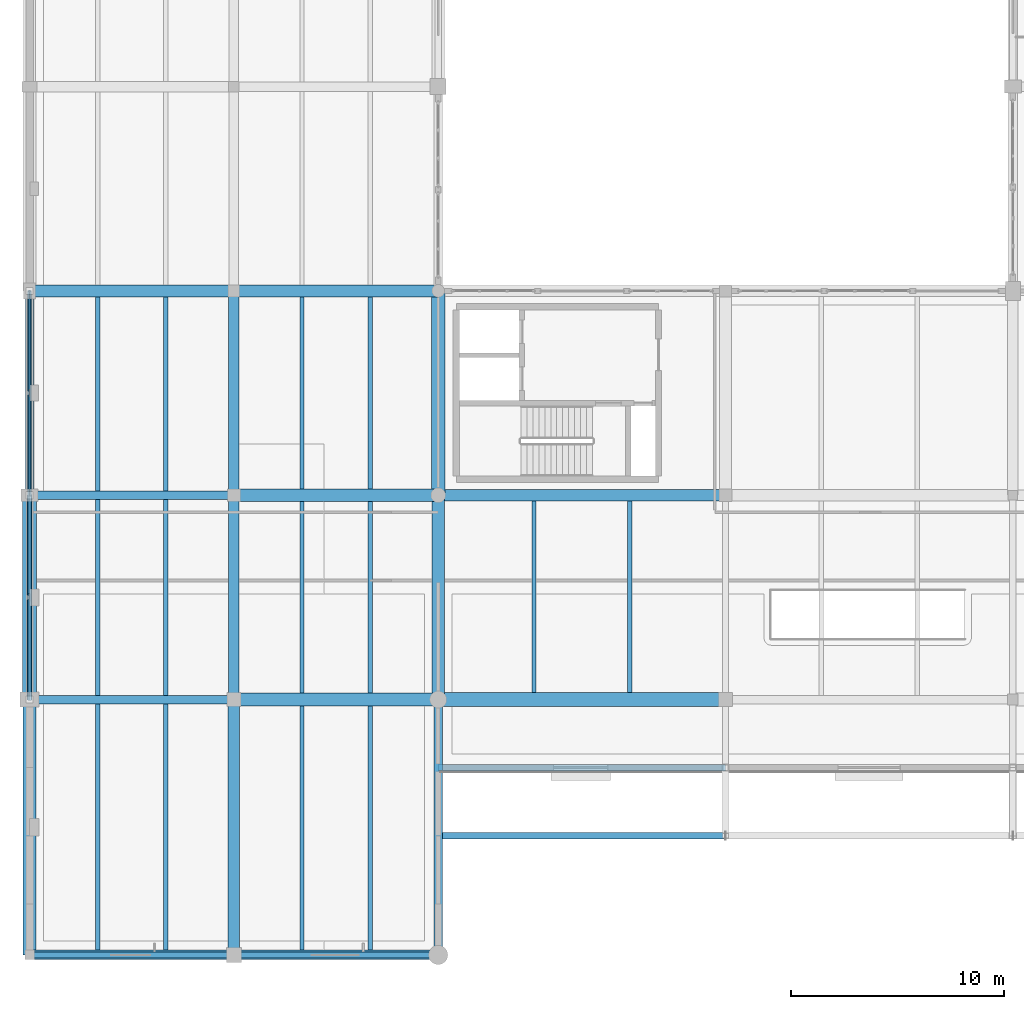
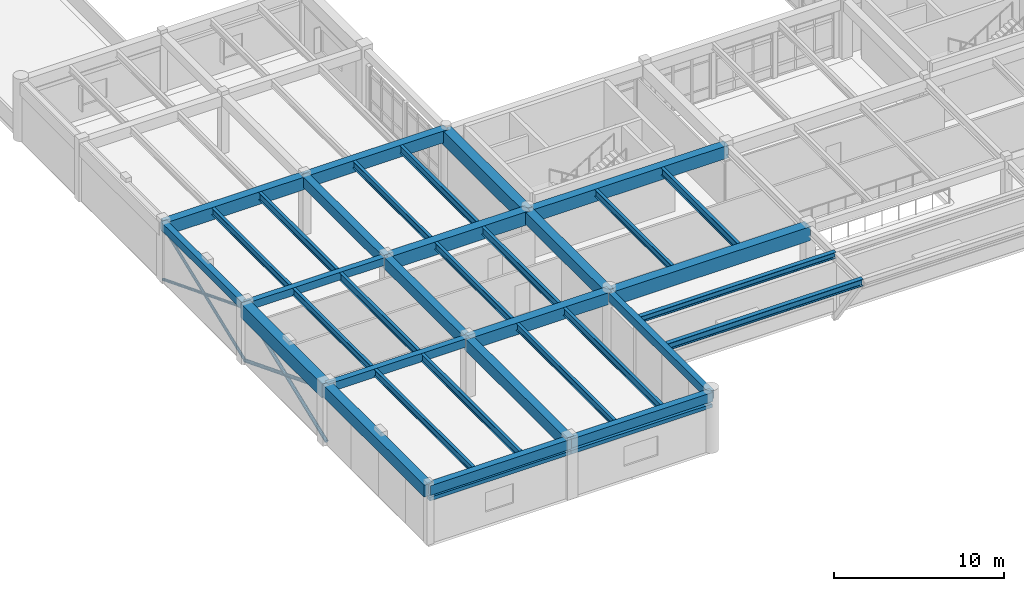
# One storey, part 3 of 109: 37 beams, 6 members.
"""IFC4 building model written with IfcOpenShell, lengths in metres."""

from ifc_helpers import new_model, si_unit, direction, frame, origin, origin_2d, place, context, subcontext, project, spatial, rectangle, hollow_circle, i_section, extrude, material, material_profile, profile_set, type_object, element, save


model = new_model("IFC4")

# Units and contexts
model_context = context("Model", 3, precision=1e-05, world=origin(), true_north=direction((0.0, 1.0)))
body_context = subcontext(model_context, "Body", "Model", "MODEL_VIEW")
ifc_project = project(units=[si_unit("LENGTHUNIT", "METRE"), si_unit("AREAUNIT", "SQUARE_METRE"), si_unit("VOLUMEUNIT", "CUBIC_METRE"), si_unit("PLANEANGLEUNIT", "RADIAN"), si_unit("MASSUNIT", "GRAM", prefix="KILO")], contexts=[model_context])

# Site, building, storey
site_placement = place(None, origin())
site = spatial("IfcSite", under=ifc_project, at=site_placement, CompositionType="ELEMENT")
building_placement = place(site_placement, origin())
building = spatial("IfcBuilding", under=site, at=building_placement, Name="Fikremerkos Civic Library", CompositionType="ELEMENT")
storey_placement = place(building_placement, frame((0.0, 0.0, 5.39990234375)))
storey = spatial("IfcBuildingStorey", under=building, at=storey_placement, Name="L01", CompositionType="ELEMENT", Elevation=5.39990234375)

# Members
ifc_material_1 = material(Name="Steel S355", Category="steel")
ifc_material_profile_1 = material_profile(ifc_material_1, hollow_circle(Radius=0.122314453125, WallThickness=0.012451171875, at=origin_2d()), Name="CHS 244.5x12.5")
ifc_profile_set_1 = profile_set([ifc_material_profile_1], Name="Steel S355")
member_type_1 = type_object("IfcMemberType", Name="Diagonal brace BRC-04 CHS 244.5x12.5", PredefinedType="BRACE", material=ifc_profile_set_1)
member_1_placement = place(storey_placement, frame((0.0, 12.0, 0.0), z_axis=(0.0, 0.930799246413, 0.365530796071), x_axis=(-1.0, 0.0, 0.0)))
element("IfcMember", 1, at=member_1_placement, inside=storey, type_object=member_type_1, Name="Lateral X-brace continuous diagonal BRC-04 L01 #7", PredefinedType="BRACE", context=body_context, shape_type="SweptSolid", body=[
    extrude(hollow_circle(Radius=0.122314453125, WallThickness=0.012451171875, at=origin_2d()), origin(), (0.0, 0.0, 1.0), 10.313720703125),
])
member_2_placement = place(storey_placement, frame((0.0, 21.60009765625, 0.0), z_axis=(0.0, -0.930804127391, 0.36551836675), x_axis=(1.0, 0.0, 0.0)))
element("IfcMember", 2, at=member_2_placement, inside=storey, type_object=member_type_1, Name="Lateral X-brace split lower segment BRC-04 L01 #7", PredefinedType="BRACE", context=body_context, shape_type="SweptSolid", body=[
    extrude(hollow_circle(Radius=0.122314453125, WallThickness=0.012451171875, at=origin_2d()), origin(), (0.0, 0.0, 1.0), 5.016845703125),
])
member_3_placement = place(storey_placement, frame((0.0, 16.66943359375, 1.936279296875), z_axis=(0.0, -0.930797625205, 0.36553492434), x_axis=(1.0, 0.0, 0.0)))
element("IfcMember", 3, at=member_3_placement, inside=storey, type_object=member_type_1, Name="Lateral X-brace split upper segment BRC-04 L01 #7", PredefinedType="BRACE", context=body_context, shape_type="SweptSolid", body=[
    extrude(hollow_circle(Radius=0.122314453125, WallThickness=0.012451171875, at=origin_2d()), origin(), (0.0, 0.0, 1.0), 5.0166015625),
])
ifc_material_profile_2 = material_profile(ifc_material_1, hollow_circle(Radius=0.096923828125, WallThickness=0.010009765625, at=origin_2d()), Name="CHS 193.7x10")
ifc_profile_set_2 = profile_set([ifc_material_profile_2], Name="Steel S355")
member_type_2 = type_object("IfcMemberType", Name="Diagonal brace BRC-05 CHS 193.7x10", PredefinedType="BRACE", material=ifc_profile_set_2)
member_4_placement = place(storey_placement, frame((0.0, 21.60009765625, 0.0), z_axis=(0.0, 0.930796083533, 0.365538850027), x_axis=(-1.0, 0.0, 0.0)))
element("IfcMember", 4, at=member_4_placement, inside=storey, type_object=member_type_2, Name="Lateral X-brace continuous diagonal BRC-05 L01 #8", PredefinedType="BRACE", context=body_context, shape_type="SweptSolid", body=[
    extrude(hollow_circle(Radius=0.096923828125, WallThickness=0.010009765625, at=origin_2d()), origin(), (0.0, 0.0, 1.0), 10.3134765625),
])
for number, where, z_axis, x_axis, name in (
    (5, (0.0, 31.199951171875, 0.0), (0.0, -0.930799157592, 0.365531022248), (1.0, 0.0, 0.0), "Lateral X-brace split lower segment BRC-05 L01 #8"),
    (6, (0.0, 26.293212890625, 1.927001953125), (0.0, -0.930799157592, 0.365531022248), (1.0, 0.0, 0.0), "Lateral X-brace split upper segment BRC-05 L01 #8"),
):
    element("IfcMember", number, at=place(storey_placement, frame(where, z_axis=z_axis, x_axis=x_axis)), inside=storey, type_object=member_type_2, Name=name, PredefinedType="BRACE", context=body_context, shape_type="SweptSolid", body=[
        extrude(hollow_circle(Radius=0.096923828125, WallThickness=0.010009765625, at=origin_2d()), origin(), (0.0, 0.0, 1.0), 5.0419921875),
    ])

# Beams
ifc_material_profile_3 = material_profile(ifc_material_1, i_section(OverallWidth=0.2099609375, OverallDepth=0.550048828125, WebThickness=0.010986328125, FlangeThickness=0.01708984375, FilletRadius=0.02392578125, at=origin_2d()), Name="IPE 550")
ifc_profile_set_3 = profile_set([ifc_material_profile_3], Name="Steel S355")
beam_type_1 = type_object("IfcBeamType", Name="Floor joist JS-05 IPE 550", PredefinedType="JOIST", material=ifc_profile_set_3)
beam_1_placement = place(storey_placement, frame((6.39990234375, 0.22509765625, 3.945068359375), z_axis=(0.0, 1.0, 0.0), x_axis=(-1.0, 0.0, 0.0)))
element("IfcBeam", 7, at=beam_1_placement, inside=storey, type_object=beam_type_1, Name="Floor joist JS-05 L01 #393", PredefinedType="JOIST", context=body_context, shape_type="SweptSolid", body=[
    extrude(i_section(OverallWidth=0.2099609375, OverallDepth=0.550048828125, WebThickness=0.010986328125, FlangeThickness=0.01708984375, FilletRadius=0.02392578125, at=origin_2d()), origin(), (0.0, 0.0, 1.0), 11.574951171875),
])
beam_2_placement = place(storey_placement, frame((6.39990234375, 12.199951171875, 3.945068359375), z_axis=(0.0, 1.0, 0.0), x_axis=(-1.0, 0.0, 0.0)))
element("IfcBeam", 8, at=beam_2_placement, inside=storey, type_object=beam_type_1, Name="Floor joist JS-05 L01 #395", PredefinedType="JOIST", context=body_context, shape_type="SweptSolid", body=[
    extrude(i_section(OverallWidth=0.2099609375, OverallDepth=0.550048828125, WebThickness=0.010986328125, FlangeThickness=0.01708984375, FilletRadius=0.02392578125, at=origin_2d()), origin(), (0.0, 0.0, 1.0), 9.199951171875),
])
beam_3_placement = place(storey_placement, frame((6.39990234375, 21.800048828125, 3.945068359375), z_axis=(0.0, 1.0, 0.0), x_axis=(-1.0, 0.0, 0.0)))
element("IfcBeam", 9, at=beam_3_placement, inside=storey, type_object=beam_type_1, Name="Floor joist JS-05 L01 #397", PredefinedType="JOIST", context=body_context, shape_type="SweptSolid", body=[
    extrude(i_section(OverallWidth=0.2099609375, OverallDepth=0.550048828125, WebThickness=0.010986328125, FlangeThickness=0.01708984375, FilletRadius=0.02392578125, at=origin_2d()), origin(), (0.0, 0.0, 1.0), 9.125),
])
beam_4_placement = place(storey_placement, frame((16.0, 0.22509765625, 3.945068359375), z_axis=(0.0, 1.0, 0.0), x_axis=(-1.0, 0.0, 0.0)))
element("IfcBeam", 10, at=beam_4_placement, inside=storey, type_object=beam_type_1, Name="Floor joist JS-05 L01 #403", PredefinedType="JOIST", context=body_context, shape_type="SweptSolid", body=[
    extrude(i_section(OverallWidth=0.2099609375, OverallDepth=0.550048828125, WebThickness=0.010986328125, FlangeThickness=0.01708984375, FilletRadius=0.02392578125, at=origin_2d()), origin(), (0.0, 0.0, 1.0), 11.474853515625),
])
beam_5_placement = place(storey_placement, frame((16.0, 12.300048828125, 3.945068359375), z_axis=(0.0, 1.0, 0.0), x_axis=(-1.0, 0.0, 0.0)))
element("IfcBeam", 11, at=beam_5_placement, inside=storey, type_object=beam_type_1, Name="Floor joist JS-05 L01 #405", PredefinedType="JOIST", context=body_context, shape_type="SweptSolid", body=[
    extrude(i_section(OverallWidth=0.2099609375, OverallDepth=0.550048828125, WebThickness=0.010986328125, FlangeThickness=0.01708984375, FilletRadius=0.02392578125, at=origin_2d()), origin(), (0.0, 0.0, 1.0), 9.0),
])
beam_6_placement = place(storey_placement, frame((16.0, 21.89990234375, 3.945068359375), z_axis=(0.0, 1.0, 0.0), x_axis=(-1.0, 0.0, 0.0)))
element("IfcBeam", 12, at=beam_6_placement, inside=storey, type_object=beam_type_1, Name="Floor joist JS-05 L01 #407", PredefinedType="JOIST", context=body_context, shape_type="SweptSolid", body=[
    extrude(i_section(OverallWidth=0.2099609375, OverallDepth=0.550048828125, WebThickness=0.010986328125, FlangeThickness=0.01708984375, FilletRadius=0.02392578125, at=origin_2d()), origin(), (0.0, 0.0, 1.0), 9.025146484375),
])
beam_7_placement = place(storey_placement, frame((28.199951171875, 12.324951171875, 3.905029296875), z_axis=(0.0, 1.0, 0.0), x_axis=(-1.0, 0.0, 0.0)))
element("IfcBeam", 13, at=beam_7_placement, inside=storey, type_object=beam_type_1, Name="Floor joist JS-05 L01 #413", PredefinedType="JOIST", context=body_context, shape_type="SweptSolid", body=[
    extrude(i_section(OverallWidth=0.2099609375, OverallDepth=0.550048828125, WebThickness=0.010986328125, FlangeThickness=0.01708984375, FilletRadius=0.02392578125, at=origin_2d()), origin(), (0.0, 0.0, 1.0), 9.0),
])
ifc_material_profile_4 = material_profile(ifc_material_1, i_section(OverallWidth=0.199951171875, OverallDepth=0.5, WebThickness=0.01025390625, FlangeThickness=0.01611328125, FilletRadius=0.02099609375, at=origin_2d()), Name="IPE 500")
ifc_profile_set_4 = profile_set([ifc_material_profile_4], Name="Steel S355")
beam_type_2 = type_object("IfcBeamType", Name="Floor joist JS-06 IPE 500", PredefinedType="JOIST", material=ifc_profile_set_4)
beam_8_placement = place(storey_placement, frame((3.199951171875, 0.22509765625, 3.97021484375), z_axis=(0.0, 1.0, 0.0), x_axis=(-1.0, 0.0, 0.0)))
element("IfcBeam", 14, at=beam_8_placement, inside=storey, type_object=beam_type_2, Name="Floor joist JS-06 L01 #392", PredefinedType="JOIST", context=body_context, shape_type="SweptSolid", body=[
    extrude(i_section(OverallWidth=0.199951171875, OverallDepth=0.5, WebThickness=0.01025390625, FlangeThickness=0.01611328125, FilletRadius=0.02099609375, at=origin_2d()), origin(), (0.0, 0.0, 1.0), 11.574951171875),
])
beam_9_placement = place(storey_placement, frame((3.199951171875, 12.199951171875, 3.97021484375), z_axis=(0.0, 1.0, 0.0), x_axis=(-1.0, 0.0, 0.0)))
element("IfcBeam", 15, at=beam_9_placement, inside=storey, type_object=beam_type_2, Name="Floor joist JS-06 L01 #394", PredefinedType="JOIST", context=body_context, shape_type="SweptSolid", body=[
    extrude(i_section(OverallWidth=0.199951171875, OverallDepth=0.5, WebThickness=0.01025390625, FlangeThickness=0.01611328125, FilletRadius=0.02099609375, at=origin_2d()), origin(), (0.0, 0.0, 1.0), 9.199951171875),
])
beam_10_placement = place(storey_placement, frame((3.199951171875, 21.800048828125, 3.97021484375), z_axis=(0.0, 1.0, 0.0), x_axis=(-1.0, 0.0, 0.0)))
element("IfcBeam", 16, at=beam_10_placement, inside=storey, type_object=beam_type_2, Name="Floor joist JS-06 L01 #396", PredefinedType="JOIST", context=body_context, shape_type="SweptSolid", body=[
    extrude(i_section(OverallWidth=0.199951171875, OverallDepth=0.5, WebThickness=0.01025390625, FlangeThickness=0.01611328125, FilletRadius=0.02099609375, at=origin_2d()), origin(), (0.0, 0.0, 1.0), 9.125),
])
beam_11_placement = place(storey_placement, frame((12.800048828125, 0.22509765625, 3.97021484375), z_axis=(0.0, 1.0, 0.0), x_axis=(-1.0, 0.0, 0.0)))
element("IfcBeam", 17, at=beam_11_placement, inside=storey, type_object=beam_type_2, Name="Floor joist JS-06 L01 #402", PredefinedType="JOIST", context=body_context, shape_type="SweptSolid", body=[
    extrude(i_section(OverallWidth=0.199951171875, OverallDepth=0.5, WebThickness=0.01025390625, FlangeThickness=0.01611328125, FilletRadius=0.02099609375, at=origin_2d()), origin(), (0.0, 0.0, 1.0), 11.474853515625),
])
beam_12_placement = place(storey_placement, frame((12.800048828125, 12.300048828125, 3.97021484375), z_axis=(0.0, 1.0, 0.0), x_axis=(-1.0, 0.0, 0.0)))
element("IfcBeam", 18, at=beam_12_placement, inside=storey, type_object=beam_type_2, Name="Floor joist JS-06 L01 #404", PredefinedType="JOIST", context=body_context, shape_type="SweptSolid", body=[
    extrude(i_section(OverallWidth=0.199951171875, OverallDepth=0.5, WebThickness=0.01025390625, FlangeThickness=0.01611328125, FilletRadius=0.02099609375, at=origin_2d()), origin(), (0.0, 0.0, 1.0), 9.0),
])
beam_13_placement = place(storey_placement, frame((12.800048828125, 21.89990234375, 3.97021484375), z_axis=(0.0, 1.0, 0.0), x_axis=(-1.0, 0.0, 0.0)))
element("IfcBeam", 19, at=beam_13_placement, inside=storey, type_object=beam_type_2, Name="Floor joist JS-06 L01 #406", PredefinedType="JOIST", context=body_context, shape_type="SweptSolid", body=[
    extrude(i_section(OverallWidth=0.199951171875, OverallDepth=0.5, WebThickness=0.01025390625, FlangeThickness=0.01611328125, FilletRadius=0.02099609375, at=origin_2d()), origin(), (0.0, 0.0, 1.0), 9.025146484375),
])
beam_14_placement = place(storey_placement, frame((23.699951171875, 12.324951171875, 3.93017578125), z_axis=(0.0, 1.0, 0.0), x_axis=(-1.0, 0.0, 0.0)))
element("IfcBeam", 20, at=beam_14_placement, inside=storey, type_object=beam_type_2, Name="Floor joist JS-06 L01 #412", PredefinedType="JOIST", context=body_context, shape_type="SweptSolid", body=[
    extrude(i_section(OverallWidth=0.199951171875, OverallDepth=0.5, WebThickness=0.01025390625, FlangeThickness=0.01611328125, FilletRadius=0.02099609375, at=origin_2d()), origin(), (0.0, 0.0, 1.0), 9.0),
])
ifc_material_2 = material(Name="Concrete C40/50", Category="concrete")
ifc_material_profile_5 = material_profile(ifc_material_2, rectangle(XDim=0.300048828125, YDim=0.260009765625, at=origin_2d()), Name="RC 300x260")
ifc_profile_set_5 = profile_set([ifc_material_profile_5], Name="Concrete C40/50")
beam_type_3 = type_object("IfcBeamType", Name="Opening lintel LNT-02 RC 300x260", PredefinedType="LINTEL", material=ifc_profile_set_5)
beam_15_placement = place(storey_placement, frame((19.199951171875, 0.0, 3.210205078125), z_axis=(-1.0, 0.0, 0.0), x_axis=(0.0, -1.0, 0.0)))
element("IfcBeam", 21, at=beam_15_placement, inside=storey, type_object=beam_type_3, Name="Courtyard window head lintel LNT-02 L01 #13", PredefinedType="LINTEL", context=body_context, shape_type="SweptSolid", body=[
    extrude(rectangle(XDim=0.300048828125, YDim=0.260009765625, at=origin_2d()), origin(), (0.0, 0.0, 1.0), 9.599853515625),
])
beam_16_placement = place(storey_placement, frame((9.60009765625, 0.0, 3.210205078125), z_axis=(-1.0, 0.0, 0.0), x_axis=(0.0, -1.0, 0.0)))
element("IfcBeam", 22, at=beam_16_placement, inside=storey, type_object=beam_type_3, Name="Courtyard window head lintel LNT-02 L01 #14", PredefinedType="LINTEL", context=body_context, shape_type="SweptSolid", body=[
    extrude(rectangle(XDim=0.300048828125, YDim=0.260009765625, at=origin_2d()), origin(), (0.0, 0.0, 1.0), 9.60009765625),
])
ifc_material_profile_6 = material_profile(ifc_material_2, rectangle(XDim=0.60009765625, YDim=0.949951171875, at=origin_2d()), Name="RC 600x950")
ifc_profile_set_6 = profile_set([ifc_material_profile_6], Name="Concrete C40/50")
beam_type_4 = type_object("IfcBeamType", Name="Primary girder BM-01 RC 600x950", PredefinedType="BEAM", material=ifc_profile_set_6)
beam_17_placement = place(storey_placement, frame((9.60009765625, 21.60009765625, 3.7451171875), z_axis=(1.0, 0.0, 0.0), x_axis=(0.0, 1.0, 0.0)))
element("IfcBeam", 23, at=beam_17_placement, inside=storey, type_object=beam_type_4, Name="Primary girder BM-01 L01 grid F", PredefinedType="BEAM", context=body_context, shape_type="SweptSolid", body=[
    extrude(rectangle(XDim=0.60009765625, YDim=0.949951171875, at=origin_2d()), origin(), (0.0, 0.0, 1.0), 9.599853515625),
])
ifc_material_profile_7 = material_profile(ifc_material_2, rectangle(XDim=0.550048828125, YDim=0.89990234375, at=origin_2d()), Name="RC 550x900")
ifc_profile_set_7 = profile_set([ifc_material_profile_7], Name="Concrete C40/50")
beam_type_5 = type_object("IfcBeamType", Name="Primary girder BM-02 RC 550x900", PredefinedType="BEAM", material=ifc_profile_set_7)
beam_18_placement = place(storey_placement, frame((19.199951171875, 21.60009765625, 3.72998046875), z_axis=(1.0, 0.0, 0.0), x_axis=(0.0, 1.0, 0.0)))
element("IfcBeam", 24, at=beam_18_placement, inside=storey, type_object=beam_type_5, Name="Primary girder BM-02 L01 grid F", PredefinedType="BEAM", context=body_context, shape_type="SweptSolid", body=[
    extrude(rectangle(XDim=0.550048828125, YDim=0.89990234375, at=origin_2d()), origin(), (0.0, 0.0, 1.0), 13.5),
])
beam_19_placement = place(storey_placement, frame((0.0, 31.199951171875, 3.77001953125), z_axis=(1.0, 0.0, 0.0), x_axis=(0.0, 1.0, 0.0)))
element("IfcBeam", 25, at=beam_19_placement, inside=storey, type_object=beam_type_5, Name="Primary girder BM-02 L01 grid G", PredefinedType="BEAM", context=body_context, shape_type="SweptSolid", body=[
    extrude(rectangle(XDim=0.550048828125, YDim=0.89990234375, at=origin_2d()), origin(), (0.0, 0.0, 1.0), 9.60009765625),
])
ifc_material_profile_8 = material_profile(ifc_material_2, rectangle(XDim=0.550048828125, YDim=0.85009765625, at=origin_2d()), Name="RC 550x850")
ifc_profile_set_8 = profile_set([ifc_material_profile_8], Name="Concrete C40/50")
beam_type_6 = type_object("IfcBeamType", Name="Primary girder BM-03 RC 550x850", PredefinedType="BEAM", material=ifc_profile_set_8)
beam_20_placement = place(storey_placement, frame((9.60009765625, 31.199951171875, 3.795166015625), z_axis=(1.0, 0.0, 0.0), x_axis=(0.0, 1.0, 0.0)))
element("IfcBeam", 26, at=beam_20_placement, inside=storey, type_object=beam_type_6, Name="Primary girder BM-03 L01 grid G", PredefinedType="BEAM", context=body_context, shape_type="SweptSolid", body=[
    extrude(rectangle(XDim=0.550048828125, YDim=0.85009765625, at=origin_2d()), origin(), (0.0, 0.0, 1.0), 9.599853515625),
])
beam_21_placement = place(storey_placement, frame((9.60009765625, 0.0, 3.795166015625), z_axis=(0.0, 1.0, 0.0), x_axis=(-1.0, 0.0, 0.0)))
element("IfcBeam", 27, at=beam_21_placement, inside=storey, type_object=beam_type_6, Name="Primary girder BM-03 L01 grid 2", PredefinedType="BEAM", context=body_context, shape_type="SweptSolid", body=[
    extrude(rectangle(XDim=0.550048828125, YDim=0.85009765625, at=origin_2d()), origin(), (0.0, 0.0, 1.0), 12.0),
])
ifc_material_profile_9 = material_profile(ifc_material_2, rectangle(XDim=0.5, YDim=0.800048828125, at=origin_2d()), Name="RC 500x800")
ifc_profile_set_9 = profile_set([ifc_material_profile_9], Name="Concrete C40/50")
beam_type_7 = type_object("IfcBeamType", Name="Primary girder BM-04 RC 500x800", PredefinedType="BEAM", material=ifc_profile_set_9)
beam_22_placement = place(storey_placement, frame((9.60009765625, 12.0, 3.820068359375), z_axis=(0.0, 1.0, 0.0), x_axis=(-1.0, 0.0, 0.0)))
element("IfcBeam", 28, at=beam_22_placement, inside=storey, type_object=beam_type_7, Name="Primary girder BM-04 L01 grid 2", PredefinedType="BEAM", context=body_context, shape_type="SweptSolid", body=[
    extrude(rectangle(XDim=0.5, YDim=0.800048828125, at=origin_2d()), origin(), (0.0, 0.0, 1.0), 9.60009765625),
])
ifc_material_profile_10 = material_profile(ifc_material_2, rectangle(XDim=0.5, YDim=0.75, at=origin_2d()), Name="RC 500x750")
ifc_profile_set_10 = profile_set([ifc_material_profile_10], Name="Concrete C40/50")
beam_type_8 = type_object("IfcBeamType", Name="Primary girder BM-05 RC 500x750", PredefinedType="BEAM", material=ifc_profile_set_10)
beam_23_placement = place(storey_placement, frame((9.60009765625, 21.60009765625, 3.84521484375), z_axis=(0.0, 1.0, 0.0), x_axis=(-1.0, 0.0, 0.0)))
element("IfcBeam", 29, at=beam_23_placement, inside=storey, type_object=beam_type_8, Name="Primary girder BM-05 L01 grid 2", PredefinedType="BEAM", context=body_context, shape_type="SweptSolid", body=[
    extrude(rectangle(XDim=0.5, YDim=0.75, at=origin_2d()), origin(), (0.0, 0.0, 1.0), 9.599853515625),
])
ifc_material_profile_11 = material_profile(ifc_material_2, rectangle(XDim=0.449951171875, YDim=0.699951171875, at=origin_2d()), Name="RC 450x700")
ifc_profile_set_11 = profile_set([ifc_material_profile_11], Name="Concrete C40/50")
beam_type_9 = type_object("IfcBeamType", Name="Primary girder BM-06 RC 450x700", PredefinedType="BEAM", material=ifc_profile_set_11)
beam_24_placement = place(storey_placement, frame((0.0, 0.0, 3.8701171875), z_axis=(1.0, 0.0, 0.0), x_axis=(0.0, 1.0, 0.0)))
element("IfcBeam", 30, at=beam_24_placement, inside=storey, type_object=beam_type_9, Name="Primary girder BM-06 L01 grid A", PredefinedType="BEAM", context=body_context, shape_type="SweptSolid", body=[
    extrude(rectangle(XDim=0.449951171875, YDim=0.699951171875, at=origin_2d()), origin(), (0.0, 0.0, 1.0), 9.60009765625),
])
ifc_material_profile_12 = material_profile(ifc_material_2, rectangle(XDim=0.449951171875, YDim=0.64990234375, at=origin_2d()), Name="RC 450x650")
ifc_profile_set_12 = profile_set([ifc_material_profile_12], Name="Concrete C40/50")
beam_type_10 = type_object("IfcBeamType", Name="Primary girder BM-07 RC 450x650", PredefinedType="BEAM", material=ifc_profile_set_12)
beam_25_placement = place(storey_placement, frame((9.60009765625, 0.0, 3.89501953125), z_axis=(1.0, 0.0, 0.0), x_axis=(0.0, 1.0, 0.0)))
element("IfcBeam", 31, at=beam_25_placement, inside=storey, type_object=beam_type_10, Name="Primary girder BM-07 L01 grid A", PredefinedType="BEAM", context=body_context, shape_type="SweptSolid", body=[
    extrude(rectangle(XDim=0.449951171875, YDim=0.64990234375, at=origin_2d()), origin(), (0.0, 0.0, 1.0), 9.599853515625),
])
ifc_material_profile_13 = material_profile(ifc_material_2, rectangle(XDim=0.39990234375, YDim=0.60009765625, at=origin_2d()), Name="RC 400x600")
ifc_profile_set_13 = profile_set([ifc_material_profile_13], Name="Concrete C40/50")
beam_type_11 = type_object("IfcBeamType", Name="Primary girder BM-08 RC 400x600", PredefinedType="BEAM", material=ifc_profile_set_13)
beam_26_placement = place(storey_placement, frame((0.0, 12.0, 3.920166015625), z_axis=(1.0, 0.0, 0.0), x_axis=(0.0, 1.0, 0.0)))
element("IfcBeam", 32, at=beam_26_placement, inside=storey, type_object=beam_type_11, Name="Primary girder BM-08 L01 grid E", PredefinedType="BEAM", context=body_context, shape_type="SweptSolid", body=[
    extrude(rectangle(XDim=0.39990234375, YDim=0.60009765625, at=origin_2d()), origin(), (0.0, 0.0, 1.0), 9.60009765625),
])
beam_27_placement = place(storey_placement, frame((19.199951171875, 0.0, 3.880126953125), z_axis=(0.0, 1.0, 0.0), x_axis=(-1.0, 0.0, 0.0)))
element("IfcBeam", 33, at=beam_27_placement, inside=storey, type_object=beam_type_11, Name="Primary girder BM-08 L01 grid 3", PredefinedType="BEAM", context=body_context, shape_type="SweptSolid", body=[
    extrude(rectangle(XDim=0.39990234375, YDim=0.60009765625, at=origin_2d()), origin(), (0.0, 0.0, 1.0), 12.0),
])
ifc_material_profile_14 = material_profile(ifc_material_2, rectangle(XDim=0.60009765625, YDim=0.85009765625, at=origin_2d()), Name="RC 600x850")
ifc_profile_set_14 = profile_set([ifc_material_profile_14], Name="Concrete C40/50")
beam_type_12 = type_object("IfcBeamType", Name="Primary girder BM-24 RC 600x850", PredefinedType="BEAM", material=ifc_profile_set_14)
beam_28_placement = place(storey_placement, frame((9.60009765625, 12.0, 3.795166015625), z_axis=(1.0, 0.0, 0.0), x_axis=(0.0, 1.0, 0.0)))
element("IfcBeam", 34, at=beam_28_placement, inside=storey, type_object=beam_type_12, Name="Primary girder BM-24 L01 grid E", PredefinedType="BEAM", context=body_context, shape_type="SweptSolid", body=[
    extrude(rectangle(XDim=0.60009765625, YDim=0.85009765625, at=origin_2d()), origin(), (0.0, 0.0, 1.0), 9.599853515625),
])
beam_29_placement = place(storey_placement, frame((0.0, 0.0, 3.795166015625), z_axis=(0.0, 1.0, 0.0), x_axis=(-1.0, 0.0, 0.0)))
element("IfcBeam", 35, at=beam_29_placement, inside=storey, type_object=beam_type_12, Name="Primary girder BM-24 L01 grid 1", PredefinedType="BEAM", context=body_context, shape_type="SweptSolid", body=[
    extrude(rectangle(XDim=0.60009765625, YDim=0.85009765625, at=origin_2d()), origin(), (0.0, 0.0, 1.0), 12.0),
])
beam_30_placement = place(storey_placement, frame((19.199951171875, 12.0, 3.755126953125), z_axis=(0.0, 1.0, 0.0), x_axis=(-1.0, 0.0, 0.0)))
element("IfcBeam", 36, at=beam_30_placement, inside=storey, type_object=beam_type_12, Name="Primary girder BM-24 L01 grid 3", PredefinedType="BEAM", context=body_context, shape_type="SweptSolid", body=[
    extrude(rectangle(XDim=0.60009765625, YDim=0.85009765625, at=origin_2d()), origin(), (0.0, 0.0, 1.0), 9.60009765625),
])
ifc_material_3 = material(Name="Concrete C45/55", Category="concrete")
ifc_material_profile_15 = material_profile(ifc_material_3, rectangle(XDim=0.64990234375, YDim=1.0, at=origin_2d()), Name="RC 650x1000")
ifc_profile_set_15 = profile_set([ifc_material_profile_15], Name="Concrete C45/55")
beam_type_13 = type_object("IfcBeamType", Name="Primary girder BM-25 RC 650x1000", PredefinedType="BEAM", material=ifc_profile_set_15)
beam_31_placement = place(storey_placement, frame((19.199951171875, 12.0, 3.68017578125), z_axis=(1.0, 0.0, 0.0), x_axis=(0.0, 1.0, 0.0)))
element("IfcBeam", 37, at=beam_31_placement, inside=storey, type_object=beam_type_13, Name="Primary girder BM-25 L01 grid E", PredefinedType="BEAM", context=body_context, shape_type="SweptSolid", body=[
    extrude(rectangle(XDim=0.64990234375, YDim=1.0, at=origin_2d()), origin(), (0.0, 0.0, 1.0), 13.5),
])
beam_32_placement = place(storey_placement, frame((0.0, 12.0, 3.72021484375), z_axis=(0.0, 1.0, 0.0), x_axis=(-1.0, 0.0, 0.0)))
element("IfcBeam", 38, at=beam_32_placement, inside=storey, type_object=beam_type_13, Name="Primary girder BM-25 L01 grid 1", PredefinedType="BEAM", context=body_context, shape_type="SweptSolid", body=[
    extrude(rectangle(XDim=0.64990234375, YDim=1.0, at=origin_2d()), origin(), (0.0, 0.0, 1.0), 9.60009765625),
])
beam_33_placement = place(storey_placement, frame((19.199951171875, 21.60009765625, 3.68017578125), z_axis=(0.0, 1.0, 0.0), x_axis=(-1.0, 0.0, 0.0)))
element("IfcBeam", 39, at=beam_33_placement, inside=storey, type_object=beam_type_13, Name="Primary girder BM-25 L01 grid 3", PredefinedType="BEAM", context=body_context, shape_type="SweptSolid", body=[
    extrude(rectangle(XDim=0.64990234375, YDim=1.0, at=origin_2d()), origin(), (0.0, 0.0, 1.0), 9.599853515625),
])
ifc_material_profile_16 = material_profile(ifc_material_2, rectangle(XDim=0.39990234375, YDim=0.550048828125, at=origin_2d()), Name="RC 400x550")
ifc_profile_set_16 = profile_set([ifc_material_profile_16], Name="Concrete C40/50")
beam_type_14 = type_object("IfcBeamType", Name="Primary girder BM-26 RC 400x550", PredefinedType="BEAM", material=ifc_profile_set_16)
beam_34_placement = place(storey_placement, frame((0.0, 21.60009765625, 3.945068359375), z_axis=(1.0, 0.0, 0.0), x_axis=(0.0, 1.0, 0.0)))
element("IfcBeam", 40, at=beam_34_placement, inside=storey, type_object=beam_type_14, Name="Primary girder BM-26 L01 grid F", PredefinedType="BEAM", context=body_context, shape_type="SweptSolid", body=[
    extrude(rectangle(XDim=0.39990234375, YDim=0.550048828125, at=origin_2d()), origin(), (0.0, 0.0, 1.0), 9.60009765625),
])
beam_35_placement = place(storey_placement, frame((0.0, 21.60009765625, 3.945068359375), z_axis=(0.0, 1.0, 0.0), x_axis=(-1.0, 0.0, 0.0)))
element("IfcBeam", 41, at=beam_35_placement, inside=storey, type_object=beam_type_14, Name="Primary girder BM-26 L01 grid 1", PredefinedType="BEAM", context=body_context, shape_type="SweptSolid", body=[
    extrude(rectangle(XDim=0.39990234375, YDim=0.550048828125, at=origin_2d()), origin(), (0.0, 0.0, 1.0), 9.599853515625),
])
ifc_material_profile_17 = material_profile(ifc_material_1, i_section(OverallWidth=0.300048828125, OverallDepth=0.489990234375, WebThickness=0.011962890625, FlangeThickness=0.02294921875, FilletRadius=0.027099609375, at=origin_2d()), Name="HEA 500")
ifc_profile_set_17 = profile_set([ifc_material_profile_17], Name="Steel S355")
beam_type_15 = type_object("IfcBeamType", Name="Spandrel edge beam SPB-04 HEA 500", PredefinedType="SPANDREL", material=ifc_profile_set_17)
beam_36_placement = place(storey_placement, frame((19.199951171875, 5.60009765625, 3.93505859375), z_axis=(1.0, 0.0, 0.0), x_axis=(0.0, 1.0, 0.0)))
element("IfcBeam", 42, at=beam_36_placement, inside=storey, type_object=beam_type_15, Name="Spandrel edge beam SPB-04 L01 Y=5.6 bay 1", PredefinedType="SPANDREL", context=body_context, shape_type="SweptSolid", body=[
    extrude(i_section(OverallWidth=0.300048828125, OverallDepth=0.489990234375, WebThickness=0.011962890625, FlangeThickness=0.02294921875, FilletRadius=0.027099609375, at=origin_2d()), origin(), (0.0, 0.0, 1.0), 13.5),
])
ifc_material_profile_18 = material_profile(ifc_material_1, i_section(OverallWidth=0.300048828125, OverallDepth=0.43994140625, WebThickness=0.011474609375, FlangeThickness=0.02099609375, FilletRadius=0.027099609375, at=origin_2d()), Name="HEA 450")
ifc_profile_set_18 = profile_set([ifc_material_profile_18], Name="Steel S355")
beam_type_16 = type_object("IfcBeamType", Name="Spandrel edge beam SPB-05 HEA 450", PredefinedType="SPANDREL", material=ifc_profile_set_18)
beam_37_placement = place(storey_placement, frame((19.199951171875, 8.800048828125, 3.960205078125), z_axis=(1.0, 0.0, 0.0), x_axis=(0.0, 1.0, 0.0)))
element("IfcBeam", 43, at=beam_37_placement, inside=storey, type_object=beam_type_16, Name="Spandrel edge beam SPB-05 L01 Y=8.8 bay 1", PredefinedType="SPANDREL", context=body_context, shape_type="SweptSolid", body=[
    extrude(i_section(OverallWidth=0.300048828125, OverallDepth=0.43994140625, WebThickness=0.011474609375, FlangeThickness=0.02099609375, FilletRadius=0.027099609375, at=origin_2d()), origin(), (0.0, 0.0, 1.0), 13.5),
])

save(model, "model.ifc")
